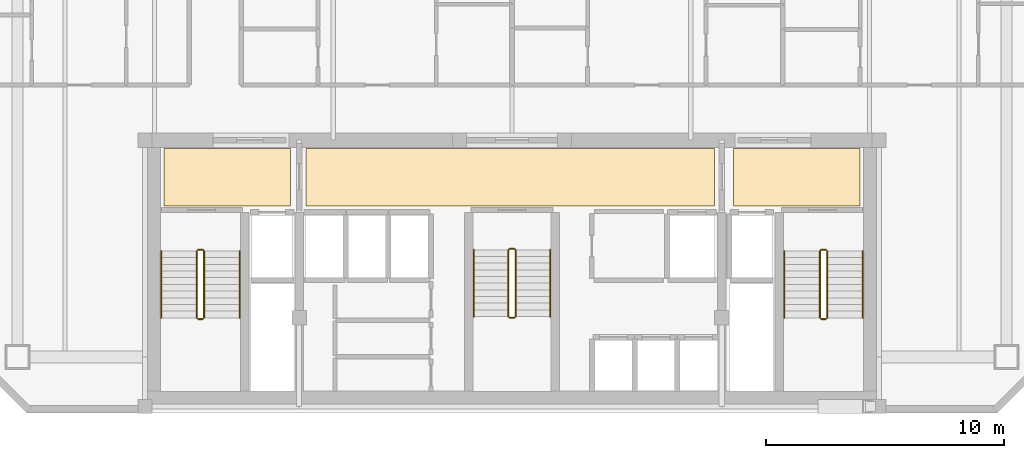
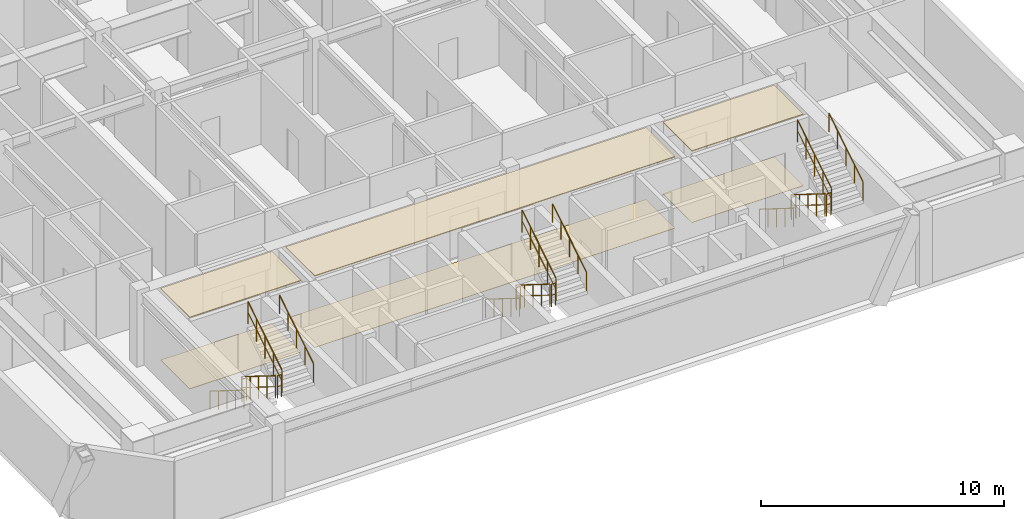
# One storey, part 9 of 9: 18 railings, 6 coverings.
"""IFC4 building model written with IfcOpenShell, lengths in metres."""

from ifc_helpers import new_model, si_unit, direction, frame, origin, origin_2d, place, context, subcontext, project, spatial, polyline, circle, outline, extrude, material, layer, layer_set, type_object, element, save


model = new_model("IFC4")

# Units and contexts
model_context = context("Model", 3, precision=1e-05, world=origin(), true_north=direction((0.0, 1.0)))
body_context = subcontext(model_context, "Body", "Model", "MODEL_VIEW")
ifc_project = project(units=[si_unit("LENGTHUNIT", "METRE"), si_unit("AREAUNIT", "SQUARE_METRE"), si_unit("VOLUMEUNIT", "CUBIC_METRE"), si_unit("PLANEANGLEUNIT", "RADIAN"), si_unit("MASSUNIT", "GRAM", prefix="KILO")], contexts=[model_context])

# Site, building, storey
site_placement = place(None, origin())
site = spatial("IfcSite", under=ifc_project, at=site_placement, CompositionType="ELEMENT")
building_placement = place(site_placement, origin())
building = spatial("IfcBuilding", under=site, at=building_placement, Name="Ventersveld Concourse Tower", CompositionType="ELEMENT")
storey_placement = place(building_placement, frame((0.0, 0.0, 215.699951171875)))
storey = spatial("IfcBuildingStorey", under=building, at=storey_placement, Name="L53", CompositionType="ELEMENT", Elevation=215.699951171875)

# Coverings
ifc_material_1 = material(Name="Mineral-fibre acoustic ceiling tile", Category="gypsum")
ifc_layer_1 = layer(ifc_material_1, 0.0400390625)
ifc_layer_set_1 = layer_set([ifc_layer_1], Name="Mineral-fibre acoustic ceiling tile")
covering_type_1 = type_object("IfcCoveringType", Name="COV-CEIL-ACOUSTIC", PredefinedType="CEILING", material=ifc_layer_set_1)
covering_1_placement = place(storey_placement, frame((0.0, 0.0, 3.590087890625)))
element("IfcCovering", 1, at=covering_1_placement, inside=storey, type_object=covering_type_1, Name="L53 North Lift Lobby Acoustic Ceiling", PredefinedType="CEILING", context=body_context, shape_type="SweptSolid", body=[
    extrude(outline(polyline([(20.10009765625, 8.699951171875), (37.25, 8.699951171875), (37.25, 11.10009765625), (20.10009765625, 11.10009765625), (20.10009765625, 8.699951171875)])), origin(), (0.0, 0.0, 1.0), 0.0400390625),
])
covering_2_placement = place(storey_placement, frame((0.0, 0.0, 3.590087890625)))
element("IfcCovering", 2, at=covering_2_placement, inside=storey, type_object=covering_type_1, Name="L53 West Firefighting Lobby Acoustic Ceiling", PredefinedType="CEILING", context=body_context, shape_type="SweptSolid", body=[
    extrude(outline(polyline([(14.14990234375, 8.699951171875), (19.449951171875, 8.699951171875), (19.449951171875, 11.10009765625), (14.14990234375, 11.10009765625), (14.14990234375, 8.699951171875)])), origin(), (0.0, 0.0, 1.0), 0.0400390625),
])
covering_3_placement = place(storey_placement, frame((0.0, 0.0, 3.590087890625)))
element("IfcCovering", 3, at=covering_3_placement, inside=storey, type_object=covering_type_1, Name="L53 East Firefighting Lobby Acoustic Ceiling", PredefinedType="CEILING", context=body_context, shape_type="SweptSolid", body=[
    extrude(outline(polyline([(38.050048828125, 8.699951171875), (43.35009765625, 8.699951171875), (43.35009765625, 11.10009765625), (38.050048828125, 11.10009765625), (38.050048828125, 8.699951171875)])), origin(), (0.0, 0.0, 1.0), 0.0400390625),
])
ifc_material_2 = material(Name="Polished Highveld granite terrazzo", Category="masonry")
ifc_layer_2 = layer(ifc_material_2, 0.02001953125)
ifc_layer_set_2 = layer_set([ifc_layer_2], Name="Polished Highveld granite terrazzo")
covering_type_2 = type_object("IfcCoveringType", Name="COV-FLOOR-TERRAZZO", PredefinedType="FLOORING", material=ifc_layer_set_2)
covering_4_placement = place(storey_placement, origin())
element("IfcCovering", 4, at=covering_4_placement, inside=storey, type_object=covering_type_2, Name="L53 North Lift Lobby Terrazzo Flooring", PredefinedType="FLOORING", context=body_context, shape_type="SweptSolid", body=[
    extrude(outline(polyline([(20.10009765625, 8.699951171875), (37.25, 8.699951171875), (37.25, 11.10009765625), (20.10009765625, 11.10009765625), (20.10009765625, 8.699951171875)])), origin(), (0.0, 0.0, 1.0), 0.02001953125),
])
covering_5_placement = place(storey_placement, origin())
element("IfcCovering", 5, at=covering_5_placement, inside=storey, type_object=covering_type_2, Name="L53 West Firefighting Lobby Terrazzo Flooring", PredefinedType="FLOORING", context=body_context, shape_type="SweptSolid", body=[
    extrude(outline(polyline([(14.14990234375, 8.699951171875), (19.449951171875, 8.699951171875), (19.449951171875, 11.10009765625), (14.14990234375, 11.10009765625), (14.14990234375, 8.699951171875)])), origin(), (0.0, 0.0, 1.0), 0.02001953125),
])
covering_6_placement = place(storey_placement, origin())
element("IfcCovering", 6, at=covering_6_placement, inside=storey, type_object=covering_type_2, Name="L53 East Firefighting Lobby Terrazzo Flooring", PredefinedType="FLOORING", context=body_context, shape_type="SweptSolid", body=[
    extrude(outline(polyline([(38.050048828125, 8.699951171875), (43.35009765625, 8.699951171875), (43.35009765625, 11.10009765625), (38.050048828125, 11.10009765625), (38.050048828125, 8.699951171875)])), origin(), (0.0, 0.0, 1.0), 0.02001953125),
])

# Railings
ifc_material_3 = material(Name="Brushed stainless steel 316", Category="steel")
railing_type_1 = type_object("IfcRailingType", Name="GD-BAL-115", PredefinedType="GUARDRAIL", material=ifc_material_3)
railing_1_placement = place(storey_placement, frame((15.530029296875, 6.800048828125, 0.175048828125)))
element("IfcRailing", 7, at=railing_1_placement, inside=storey, type_object=railing_type_1, Name="L53 ST-01 stair guard 1", PredefinedType="GUARDRAIL", context=body_context, shape_type="SweptSolid", body=[
    extrude(circle(Radius=0.02392578125, at=origin_2d()), frame((0.0, 0.0, 1.1259765625), z_axis=(0.0, -0.848002457836, 0.529992293815), x_axis=(1.0, 0.0, 0.0)), (0.0, 0.0, 1.0), 3.302001953125),
    extrude(circle(Radius=0.01611328125, at=origin_2d()), frame((0.0, 0.0, 0.574951171875), z_axis=(0.0, -0.848002457836, 0.529992293815), x_axis=(1.0, 0.0, 0.0)), (0.0, 0.0, 1.0), 3.302001953125),
    extrude(circle(Radius=0.02099609375, at=origin_2d()), origin(), (0.0, 0.0, 1.0), 1.101806640625),
    extrude(circle(Radius=0.02099609375, at=origin_2d()), frame((0.0, -0.699951171875, 0.4375)), (0.0, 0.0, 1.0), 1.101806640625),
    extrude(circle(Radius=0.02099609375, at=origin_2d()), frame((0.0, -1.39990234375, 0.875)), (0.0, 0.0, 1.0), 1.101806640625),
    extrude(circle(Radius=0.02099609375, at=origin_2d()), frame((0.0, -2.10009765625, 1.3125)), (0.0, 0.0, 1.0), 1.101806640625),
    extrude(circle(Radius=0.02099609375, at=origin_2d()), frame((0.0, -2.800048828125, 1.75)), (0.0, 0.0, 1.0), 1.101806640625),
])
railing_2_placement = place(storey_placement, frame((15.580078125, 3.949951171875, 1.925048828125)))
element("IfcRailing", 8, at=railing_2_placement, inside=storey, type_object=railing_type_1, Name="L53 ST-01 stair guard 2", PredefinedType="GUARDRAIL", context=body_context, shape_type="SweptSolid", body=[
    extrude(circle(Radius=0.02392578125, at=origin_2d()), frame((0.0, 0.0, 1.1259765625), z_axis=(1.0, 0.0, 0.0), x_axis=(0.0, 1.0, 0.0)), (0.0, 0.0, 1.0), 0.199951171875),
    extrude(circle(Radius=0.01611328125, at=origin_2d()), frame((0.0, 0.0, 0.574951171875), z_axis=(1.0, 0.0, 0.0), x_axis=(0.0, 1.0, 0.0)), (0.0, 0.0, 1.0), 0.199951171875),
    extrude(circle(Radius=0.02099609375, at=origin_2d()), origin(), (0.0, 0.0, 1.0), 1.101806640625),
    extrude(circle(Radius=0.02099609375, at=origin_2d()), frame((0.199951171875, 0.0, 0.0)), (0.0, 0.0, 1.0), 1.101806640625),
])
railing_3_placement = place(storey_placement, frame((15.830078125, 4.0, 2.10009765625)))
element("IfcRailing", 9, at=railing_3_placement, inside=storey, type_object=railing_type_1, Name="L53 ST-01 stair guard 3", PredefinedType="GUARDRAIL", context=body_context, shape_type="SweptSolid", body=[
    extrude(circle(Radius=0.02392578125, at=origin_2d()), frame((0.0, 0.0, 1.1259765625), z_axis=(0.0, 0.848002457836, 0.529992293815), x_axis=(-1.0, 0.0, 0.0)), (0.0, 0.0, 1.0), 3.302001953125),
    extrude(circle(Radius=0.01611328125, at=origin_2d()), frame((0.0, 0.0, 0.574951171875), z_axis=(0.0, 0.848002457836, 0.529992293815), x_axis=(-1.0, 0.0, 0.0)), (0.0, 0.0, 1.0), 3.302001953125),
    extrude(circle(Radius=0.02099609375, at=origin_2d()), origin(), (0.0, 0.0, 1.0), 1.101806640625),
    extrude(circle(Radius=0.02099609375, at=origin_2d()), frame((0.0, 0.699951171875, 0.4375)), (0.0, 0.0, 1.0), 1.101806640625),
    extrude(circle(Radius=0.02099609375, at=origin_2d()), frame((0.0, 1.39990234375, 0.875)), (0.0, 0.0, 1.0), 1.101806640625),
    extrude(circle(Radius=0.02099609375, at=origin_2d()), frame((0.0, 2.10009765625, 1.3125)), (0.0, 0.0, 1.0), 1.101806640625),
    extrude(circle(Radius=0.02099609375, at=origin_2d()), frame((0.0, 2.800048828125, 1.75)), (0.0, 0.0, 1.0), 1.101806640625),
])
railing_4_placement = place(storey_placement, frame((15.580078125, 6.85009765625, 0.0)))
element("IfcRailing", 10, at=railing_4_placement, inside=storey, type_object=railing_type_1, Name="L53 ST-01 stair guard 4", PredefinedType="GUARDRAIL", context=body_context, shape_type="SweptSolid", body=[
    extrude(circle(Radius=0.02392578125, at=origin_2d()), frame((0.0, 0.0, 1.1259765625), z_axis=(1.0, 0.0, 0.0), x_axis=(0.0, 1.0, 0.0)), (0.0, 0.0, 1.0), 0.199951171875),
    extrude(circle(Radius=0.01611328125, at=origin_2d()), frame((0.0, 0.0, 0.574951171875), z_axis=(1.0, 0.0, 0.0), x_axis=(0.0, 1.0, 0.0)), (0.0, 0.0, 1.0), 0.199951171875),
    extrude(circle(Radius=0.02099609375, at=origin_2d()), origin(), (0.0, 0.0, 1.0), 1.101806640625),
    extrude(circle(Radius=0.02099609375, at=origin_2d()), frame((0.199951171875, 0.0, 0.0)), (0.0, 0.0, 1.0), 1.101806640625),
])
railing_5_placement = place(storey_placement, frame((41.669921875, 6.800048828125, 0.175048828125)))
element("IfcRailing", 11, at=railing_5_placement, inside=storey, type_object=railing_type_1, Name="L53 ST-02 stair guard 1", PredefinedType="GUARDRAIL", context=body_context, shape_type="SweptSolid", body=[
    extrude(circle(Radius=0.02392578125, at=origin_2d()), frame((0.0, 0.0, 1.1259765625), z_axis=(0.0, -0.848002457836, 0.529992293815), x_axis=(1.0, 0.0, 0.0)), (0.0, 0.0, 1.0), 3.302001953125),
    extrude(circle(Radius=0.01611328125, at=origin_2d()), frame((0.0, 0.0, 0.574951171875), z_axis=(0.0, -0.848002457836, 0.529992293815), x_axis=(1.0, 0.0, 0.0)), (0.0, 0.0, 1.0), 3.302001953125),
    extrude(circle(Radius=0.02099609375, at=origin_2d()), origin(), (0.0, 0.0, 1.0), 1.101806640625),
    extrude(circle(Radius=0.02099609375, at=origin_2d()), frame((0.0, -0.699951171875, 0.4375)), (0.0, 0.0, 1.0), 1.101806640625),
    extrude(circle(Radius=0.02099609375, at=origin_2d()), frame((0.0, -1.39990234375, 0.875)), (0.0, 0.0, 1.0), 1.101806640625),
    extrude(circle(Radius=0.02099609375, at=origin_2d()), frame((0.0, -2.10009765625, 1.3125)), (0.0, 0.0, 1.0), 1.101806640625),
    extrude(circle(Radius=0.02099609375, at=origin_2d()), frame((0.0, -2.800048828125, 1.75)), (0.0, 0.0, 1.0), 1.101806640625),
])
railing_6_placement = place(storey_placement, frame((41.719970703125, 3.949951171875, 1.925048828125)))
element("IfcRailing", 12, at=railing_6_placement, inside=storey, type_object=railing_type_1, Name="L53 ST-02 stair guard 2", PredefinedType="GUARDRAIL", context=body_context, shape_type="SweptSolid", body=[
    extrude(circle(Radius=0.02392578125, at=origin_2d()), frame((0.0, 0.0, 1.1259765625), z_axis=(1.0, 0.0, 0.0), x_axis=(0.0, 1.0, 0.0)), (0.0, 0.0, 1.0), 0.199951171875),
    extrude(circle(Radius=0.01611328125, at=origin_2d()), frame((0.0, 0.0, 0.574951171875), z_axis=(1.0, 0.0, 0.0), x_axis=(0.0, 1.0, 0.0)), (0.0, 0.0, 1.0), 0.199951171875),
    extrude(circle(Radius=0.02099609375, at=origin_2d()), origin(), (0.0, 0.0, 1.0), 1.101806640625),
    extrude(circle(Radius=0.02099609375, at=origin_2d()), frame((0.199951171875, 0.0, 0.0)), (0.0, 0.0, 1.0), 1.101806640625),
])
railing_7_placement = place(storey_placement, frame((41.969970703125, 4.0, 2.10009765625)))
element("IfcRailing", 13, at=railing_7_placement, inside=storey, type_object=railing_type_1, Name="L53 ST-02 stair guard 3", PredefinedType="GUARDRAIL", context=body_context, shape_type="SweptSolid", body=[
    extrude(circle(Radius=0.02392578125, at=origin_2d()), frame((0.0, 0.0, 1.1259765625), z_axis=(0.0, 0.848002457836, 0.529992293815), x_axis=(-1.0, 0.0, 0.0)), (0.0, 0.0, 1.0), 3.302001953125),
    extrude(circle(Radius=0.01611328125, at=origin_2d()), frame((0.0, 0.0, 0.574951171875), z_axis=(0.0, 0.848002457836, 0.529992293815), x_axis=(-1.0, 0.0, 0.0)), (0.0, 0.0, 1.0), 3.302001953125),
    extrude(circle(Radius=0.02099609375, at=origin_2d()), origin(), (0.0, 0.0, 1.0), 1.101806640625),
    extrude(circle(Radius=0.02099609375, at=origin_2d()), frame((0.0, 0.699951171875, 0.4375)), (0.0, 0.0, 1.0), 1.101806640625),
    extrude(circle(Radius=0.02099609375, at=origin_2d()), frame((0.0, 1.39990234375, 0.875)), (0.0, 0.0, 1.0), 1.101806640625),
    extrude(circle(Radius=0.02099609375, at=origin_2d()), frame((0.0, 2.10009765625, 1.3125)), (0.0, 0.0, 1.0), 1.101806640625),
    extrude(circle(Radius=0.02099609375, at=origin_2d()), frame((0.0, 2.800048828125, 1.75)), (0.0, 0.0, 1.0), 1.101806640625),
])
railing_8_placement = place(storey_placement, frame((41.719970703125, 6.85009765625, 0.0)))
element("IfcRailing", 14, at=railing_8_placement, inside=storey, type_object=railing_type_1, Name="L53 ST-02 stair guard 4", PredefinedType="GUARDRAIL", context=body_context, shape_type="SweptSolid", body=[
    extrude(circle(Radius=0.02392578125, at=origin_2d()), frame((0.0, 0.0, 1.1259765625), z_axis=(1.0, 0.0, 0.0), x_axis=(0.0, 1.0, 0.0)), (0.0, 0.0, 1.0), 0.199951171875),
    extrude(circle(Radius=0.01611328125, at=origin_2d()), frame((0.0, 0.0, 0.574951171875), z_axis=(1.0, 0.0, 0.0), x_axis=(0.0, 1.0, 0.0)), (0.0, 0.0, 1.0), 0.199951171875),
    extrude(circle(Radius=0.02099609375, at=origin_2d()), origin(), (0.0, 0.0, 1.0), 1.101806640625),
    extrude(circle(Radius=0.02099609375, at=origin_2d()), frame((0.199951171875, 0.0, 0.0)), (0.0, 0.0, 1.0), 1.101806640625),
])
railing_9_placement = place(storey_placement, frame((28.60009765625, 6.85009765625, 0.175048828125)))
element("IfcRailing", 15, at=railing_9_placement, inside=storey, type_object=railing_type_1, Name="L53 ST-03 stair guard 1", PredefinedType="GUARDRAIL", context=body_context, shape_type="SweptSolid", body=[
    extrude(circle(Radius=0.02392578125, at=origin_2d()), frame((0.0, 0.0, 1.1259765625), z_axis=(0.0, -0.848002457836, 0.529992293815), x_axis=(1.0, 0.0, 0.0)), (0.0, 0.0, 1.0), 3.302001953125),
    extrude(circle(Radius=0.01611328125, at=origin_2d()), frame((0.0, 0.0, 0.574951171875), z_axis=(0.0, -0.848002457836, 0.529992293815), x_axis=(1.0, 0.0, 0.0)), (0.0, 0.0, 1.0), 3.302001953125),
    extrude(circle(Radius=0.02099609375, at=origin_2d()), origin(), (0.0, 0.0, 1.0), 1.101806640625),
    extrude(circle(Radius=0.02099609375, at=origin_2d()), frame((0.0, -0.699951171875, 0.4375)), (0.0, 0.0, 1.0), 1.101806640625),
    extrude(circle(Radius=0.02099609375, at=origin_2d()), frame((0.0, -1.39990234375, 0.875)), (0.0, 0.0, 1.0), 1.101806640625),
    extrude(circle(Radius=0.02099609375, at=origin_2d()), frame((0.0, -2.10009765625, 1.3125)), (0.0, 0.0, 1.0), 1.101806640625),
    extrude(circle(Radius=0.02099609375, at=origin_2d()), frame((0.0, -2.800048828125, 1.75)), (0.0, 0.0, 1.0), 1.101806640625),
])
railing_10_placement = place(storey_placement, frame((28.64990234375, 4.0, 1.925048828125)))
element("IfcRailing", 16, at=railing_10_placement, inside=storey, type_object=railing_type_1, Name="L53 ST-03 stair guard 2", PredefinedType="GUARDRAIL", context=body_context, shape_type="SweptSolid", body=[
    extrude(circle(Radius=0.02392578125, at=origin_2d()), frame((0.0, 0.0, 1.1259765625), z_axis=(1.0, 0.0, 0.0), x_axis=(0.0, 1.0, 0.0)), (0.0, 0.0, 1.0), 0.2001953125),
    extrude(circle(Radius=0.01611328125, at=origin_2d()), frame((0.0, 0.0, 0.574951171875), z_axis=(1.0, 0.0, 0.0), x_axis=(0.0, 1.0, 0.0)), (0.0, 0.0, 1.0), 0.2001953125),
    extrude(circle(Radius=0.02099609375, at=origin_2d()), origin(), (0.0, 0.0, 1.0), 1.101806640625),
    extrude(circle(Radius=0.02099609375, at=origin_2d()), frame((0.2001953125, 0.0, 0.0)), (0.0, 0.0, 1.0), 1.101806640625),
])
railing_11_placement = place(storey_placement, frame((28.89990234375, 4.050048828125, 2.10009765625)))
element("IfcRailing", 17, at=railing_11_placement, inside=storey, type_object=railing_type_1, Name="L53 ST-03 stair guard 3", PredefinedType="GUARDRAIL", context=body_context, shape_type="SweptSolid", body=[
    extrude(circle(Radius=0.02392578125, at=origin_2d()), frame((0.0, 0.0, 1.1259765625), z_axis=(0.0, 0.848002457836, 0.529992293815), x_axis=(-1.0, 0.0, 0.0)), (0.0, 0.0, 1.0), 3.302001953125),
    extrude(circle(Radius=0.01611328125, at=origin_2d()), frame((0.0, 0.0, 0.574951171875), z_axis=(0.0, 0.848002457836, 0.529992293815), x_axis=(-1.0, 0.0, 0.0)), (0.0, 0.0, 1.0), 3.302001953125),
    extrude(circle(Radius=0.02099609375, at=origin_2d()), origin(), (0.0, 0.0, 1.0), 1.101806640625),
    extrude(circle(Radius=0.02099609375, at=origin_2d()), frame((0.0, 0.699951171875, 0.4375)), (0.0, 0.0, 1.0), 1.101806640625),
    extrude(circle(Radius=0.02099609375, at=origin_2d()), frame((0.0, 1.39990234375, 0.875)), (0.0, 0.0, 1.0), 1.101806640625),
    extrude(circle(Radius=0.02099609375, at=origin_2d()), frame((0.0, 2.10009765625, 1.3125)), (0.0, 0.0, 1.0), 1.101806640625),
    extrude(circle(Radius=0.02099609375, at=origin_2d()), frame((0.0, 2.800048828125, 1.75)), (0.0, 0.0, 1.0), 1.101806640625),
])
railing_12_placement = place(storey_placement, frame((28.64990234375, 6.89990234375, 0.0)))
element("IfcRailing", 18, at=railing_12_placement, inside=storey, type_object=railing_type_1, Name="L53 ST-03 stair guard 4", PredefinedType="GUARDRAIL", context=body_context, shape_type="SweptSolid", body=[
    extrude(circle(Radius=0.02392578125, at=origin_2d()), frame((0.0, 0.0, 1.1259765625), z_axis=(1.0, 0.0, 0.0), x_axis=(0.0, 1.0, 0.0)), (0.0, 0.0, 1.0), 0.2001953125),
    extrude(circle(Radius=0.01611328125, at=origin_2d()), frame((0.0, 0.0, 0.574951171875), z_axis=(1.0, 0.0, 0.0), x_axis=(0.0, 1.0, 0.0)), (0.0, 0.0, 1.0), 0.2001953125),
    extrude(circle(Radius=0.02099609375, at=origin_2d()), origin(), (0.0, 0.0, 1.0), 1.101806640625),
    extrude(circle(Radius=0.02099609375, at=origin_2d()), frame((0.2001953125, 0.0, 0.0)), (0.0, 0.0, 1.0), 1.101806640625),
])
railing_type_2 = type_object("IfcRailingType", Name="HR-RMP-095", PredefinedType="HANDRAIL", material=ifc_material_3)
railing_13_placement = place(storey_placement, frame((14.030029296875, 6.800048828125, 0.175048828125)))
element("IfcRailing", 19, at=railing_13_placement, inside=storey, type_object=railing_type_2, Name="L53 ST-01 stair handrail 1", PredefinedType="HANDRAIL", context=body_context, shape_type="SweptSolid", body=[
    extrude(circle(Radius=0.02392578125, at=origin_2d()), frame((0.0, 0.0, 0.92578125), z_axis=(0.0, -0.848002457836, 0.529992293815), x_axis=(1.0, 0.0, 0.0)), (0.0, 0.0, 1.0), 3.302001953125),
    extrude(circle(Radius=0.02099609375, at=origin_2d()), origin(), (0.0, 0.0, 1.0), 0.90185546875),
    extrude(circle(Radius=0.02099609375, at=origin_2d()), frame((0.0, -0.699951171875, 0.4375)), (0.0, 0.0, 1.0), 0.90185546875),
    extrude(circle(Radius=0.02099609375, at=origin_2d()), frame((0.0, -1.39990234375, 0.875)), (0.0, 0.0, 1.0), 0.90185546875),
    extrude(circle(Radius=0.02099609375, at=origin_2d()), frame((0.0, -2.10009765625, 1.3125)), (0.0, 0.0, 1.0), 0.90185546875),
    extrude(circle(Radius=0.02099609375, at=origin_2d()), frame((0.0, -2.800048828125, 1.75)), (0.0, 0.0, 1.0), 0.90185546875),
])
railing_14_placement = place(storey_placement, frame((17.330078125, 4.0, 2.10009765625)))
element("IfcRailing", 20, at=railing_14_placement, inside=storey, type_object=railing_type_2, Name="L53 ST-01 stair handrail 2", PredefinedType="HANDRAIL", context=body_context, shape_type="SweptSolid", body=[
    extrude(circle(Radius=0.02392578125, at=origin_2d()), frame((0.0, 0.0, 0.92578125), z_axis=(0.0, 0.848002457836, 0.529992293815), x_axis=(-1.0, 0.0, 0.0)), (0.0, 0.0, 1.0), 3.302001953125),
    extrude(circle(Radius=0.02099609375, at=origin_2d()), origin(), (0.0, 0.0, 1.0), 0.90185546875),
    extrude(circle(Radius=0.02099609375, at=origin_2d()), frame((0.0, 0.699951171875, 0.4375)), (0.0, 0.0, 1.0), 0.90185546875),
    extrude(circle(Radius=0.02099609375, at=origin_2d()), frame((0.0, 1.39990234375, 0.875)), (0.0, 0.0, 1.0), 0.90185546875),
    extrude(circle(Radius=0.02099609375, at=origin_2d()), frame((0.0, 2.10009765625, 1.3125)), (0.0, 0.0, 1.0), 0.90185546875),
    extrude(circle(Radius=0.02099609375, at=origin_2d()), frame((0.0, 2.800048828125, 1.75)), (0.0, 0.0, 1.0), 0.90185546875),
])
railing_15_placement = place(storey_placement, frame((40.169921875, 6.800048828125, 0.175048828125)))
element("IfcRailing", 21, at=railing_15_placement, inside=storey, type_object=railing_type_2, Name="L53 ST-02 stair handrail 1", PredefinedType="HANDRAIL", context=body_context, shape_type="SweptSolid", body=[
    extrude(circle(Radius=0.02392578125, at=origin_2d()), frame((0.0, 0.0, 0.92578125), z_axis=(0.0, -0.848002457836, 0.529992293815), x_axis=(1.0, 0.0, 0.0)), (0.0, 0.0, 1.0), 3.302001953125),
    extrude(circle(Radius=0.02099609375, at=origin_2d()), origin(), (0.0, 0.0, 1.0), 0.90185546875),
    extrude(circle(Radius=0.02099609375, at=origin_2d()), frame((0.0, -0.699951171875, 0.4375)), (0.0, 0.0, 1.0), 0.90185546875),
    extrude(circle(Radius=0.02099609375, at=origin_2d()), frame((0.0, -1.39990234375, 0.875)), (0.0, 0.0, 1.0), 0.90185546875),
    extrude(circle(Radius=0.02099609375, at=origin_2d()), frame((0.0, -2.10009765625, 1.3125)), (0.0, 0.0, 1.0), 0.90185546875),
    extrude(circle(Radius=0.02099609375, at=origin_2d()), frame((0.0, -2.800048828125, 1.75)), (0.0, 0.0, 1.0), 0.90185546875),
])
railing_16_placement = place(storey_placement, frame((43.469970703125, 4.0, 2.10009765625)))
element("IfcRailing", 22, at=railing_16_placement, inside=storey, type_object=railing_type_2, Name="L53 ST-02 stair handrail 2", PredefinedType="HANDRAIL", context=body_context, shape_type="SweptSolid", body=[
    extrude(circle(Radius=0.02392578125, at=origin_2d()), frame((0.0, 0.0, 0.92578125), z_axis=(0.0, 0.848002457836, 0.529992293815), x_axis=(-1.0, 0.0, 0.0)), (0.0, 0.0, 1.0), 3.302001953125),
    extrude(circle(Radius=0.02099609375, at=origin_2d()), origin(), (0.0, 0.0, 1.0), 0.90185546875),
    extrude(circle(Radius=0.02099609375, at=origin_2d()), frame((0.0, 0.699951171875, 0.4375)), (0.0, 0.0, 1.0), 0.90185546875),
    extrude(circle(Radius=0.02099609375, at=origin_2d()), frame((0.0, 1.39990234375, 0.875)), (0.0, 0.0, 1.0), 0.90185546875),
    extrude(circle(Radius=0.02099609375, at=origin_2d()), frame((0.0, 2.10009765625, 1.3125)), (0.0, 0.0, 1.0), 0.90185546875),
    extrude(circle(Radius=0.02099609375, at=origin_2d()), frame((0.0, 2.800048828125, 1.75)), (0.0, 0.0, 1.0), 0.90185546875),
])
railing_17_placement = place(storey_placement, frame((27.14990234375, 6.85009765625, 0.175048828125)))
element("IfcRailing", 23, at=railing_17_placement, inside=storey, type_object=railing_type_2, Name="L53 ST-03 stair handrail 1", PredefinedType="HANDRAIL", context=body_context, shape_type="SweptSolid", body=[
    extrude(circle(Radius=0.02392578125, at=origin_2d()), frame((0.0, 0.0, 0.92578125), z_axis=(0.0, -0.848002457836, 0.529992293815), x_axis=(1.0, 0.0, 0.0)), (0.0, 0.0, 1.0), 3.302001953125),
    extrude(circle(Radius=0.02099609375, at=origin_2d()), origin(), (0.0, 0.0, 1.0), 0.90185546875),
    extrude(circle(Radius=0.02099609375, at=origin_2d()), frame((0.0, -0.699951171875, 0.4375)), (0.0, 0.0, 1.0), 0.90185546875),
    extrude(circle(Radius=0.02099609375, at=origin_2d()), frame((0.0, -1.39990234375, 0.875)), (0.0, 0.0, 1.0), 0.90185546875),
    extrude(circle(Radius=0.02099609375, at=origin_2d()), frame((0.0, -2.10009765625, 1.3125)), (0.0, 0.0, 1.0), 0.90185546875),
    extrude(circle(Radius=0.02099609375, at=origin_2d()), frame((0.0, -2.800048828125, 1.75)), (0.0, 0.0, 1.0), 0.90185546875),
])
railing_18_placement = place(storey_placement, frame((30.35009765625, 4.050048828125, 2.10009765625)))
element("IfcRailing", 24, at=railing_18_placement, inside=storey, type_object=railing_type_2, Name="L53 ST-03 stair handrail 2", PredefinedType="HANDRAIL", context=body_context, shape_type="SweptSolid", body=[
    extrude(circle(Radius=0.02392578125, at=origin_2d()), frame((0.0, 0.0, 0.92578125), z_axis=(0.0, 0.848002457836, 0.529992293815), x_axis=(-1.0, 0.0, 0.0)), (0.0, 0.0, 1.0), 3.302001953125),
    extrude(circle(Radius=0.02099609375, at=origin_2d()), origin(), (0.0, 0.0, 1.0), 0.90185546875),
    extrude(circle(Radius=0.02099609375, at=origin_2d()), frame((0.0, 0.699951171875, 0.4375)), (0.0, 0.0, 1.0), 0.90185546875),
    extrude(circle(Radius=0.02099609375, at=origin_2d()), frame((0.0, 1.39990234375, 0.875)), (0.0, 0.0, 1.0), 0.90185546875),
    extrude(circle(Radius=0.02099609375, at=origin_2d()), frame((0.0, 2.10009765625, 1.3125)), (0.0, 0.0, 1.0), 0.90185546875),
    extrude(circle(Radius=0.02099609375, at=origin_2d()), frame((0.0, 2.800048828125, 1.75)), (0.0, 0.0, 1.0), 0.90185546875),
])

save(model, "model.ifc")
